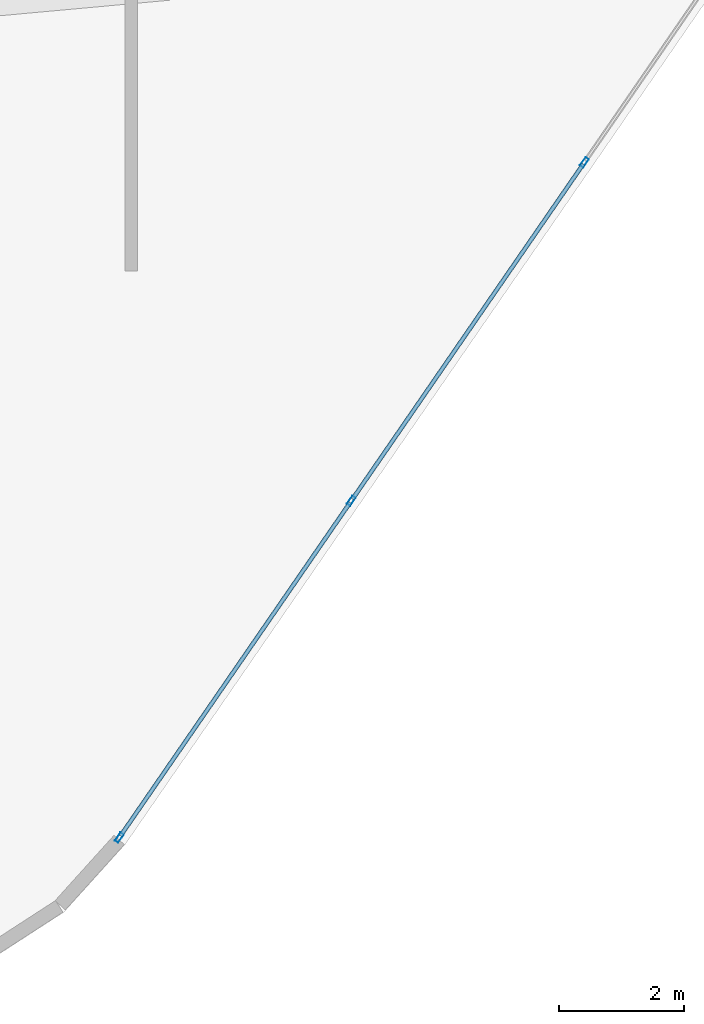
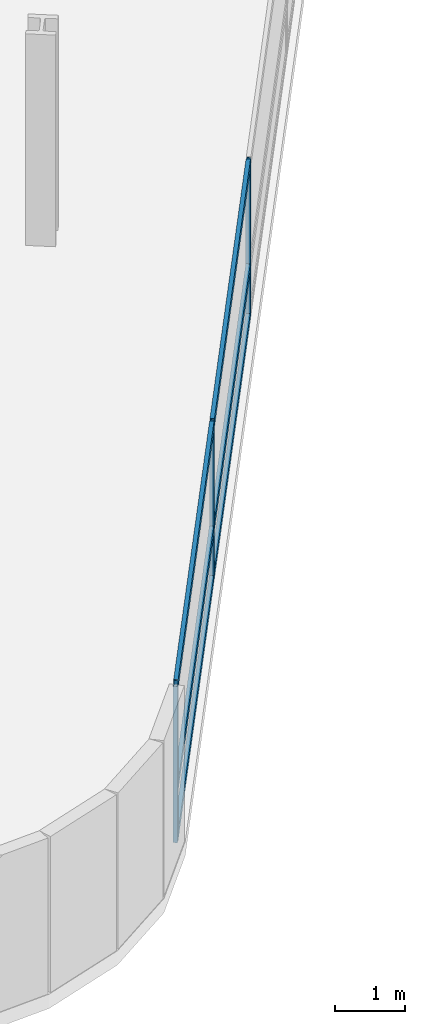
# One storey, part 6 of 25: 9 members, 1 element without a shape of its own.
"""IFC4 building model written with IfcOpenShell, lengths in metres."""

import ifcopenshell
import ifcopenshell.guid

model = None  # the IFC model being written
_history = None  # IfcOwnerHistory: only IFC2X3 demands one
_inside = {}  # id of a spatial element -> (the spatial element, [elements in it])
_under = {}  # id of a project, library or spatial element -> (it, [spatial elements below it])
_declared = {}  # id of a project -> (the project, [libraries it declares])
_typed = {}  # id of a type object -> (the type object, [elements of that type])
_made_of = {}  # id of a material, layer set ... -> (it, [elements and type objects made of it])


def new_model(schema):
    """Start an empty IFC model of exactly this schema.

    Asked for "IFC4X3", IfcOpenShell would pick the latest addendum, in which some entities
    have other attributes; the version numbers below select the first issue.
    IFC2X3 requires an IfcOwnerHistory on every rooted entity: one is made here for all.
    """
    global model, _history
    if schema == "IFC4X3":
        model = ifcopenshell.file(schema_version=(4, 3, 0, 0))
    else:
        model = ifcopenshell.file(schema=schema)
    _inside.clear()
    _under.clear()
    _declared.clear()
    _typed.clear()
    _made_of.clear()
    _history = None
    if model.schema == "IFC2X3":
        org = make("IfcOrganization", Name="unknown")
        user = make(
            "IfcPersonAndOrganization",
            ThePerson=make("IfcPerson", FamilyName="unknown"),
            TheOrganization=org,
        )
        app = make(
            "IfcApplication",
            ApplicationDeveloper=org,
            Version="unknown",
            ApplicationFullName="unknown",
            ApplicationIdentifier="unknown",
        )
        _history = make(
            "IfcOwnerHistory",
            OwningUser=user,
            OwningApplication=app,
            ChangeAction="ADDED",
            CreationDate=0,
        )
    return model


def make(cls, **values):
    """One entity of the class cls with the attributes given. An attribute that is None is left unset."""
    return model.create_entity(
        cls, **{name: value for name, value in values.items() if value is not None}
    )


def rooted(cls, **values):
    """An entity with a GlobalId (a new one), such as an element, a storey or a relation."""
    return make(cls, GlobalId=ifcopenshell.guid.new(), OwnerHistory=_history, **values)


def si_unit(unit_type, name, prefix=None):
    """IfcSIUnit, for example si_unit("LENGTHUNIT", "METRE", prefix="MILLI")."""
    return make("IfcSIUnit", UnitType=unit_type, Prefix=prefix, Name=name)


def assignment(units):
    """IfcUnitAssignment: the units of a project."""
    return None if units is None else make("IfcUnitAssignment", Units=units)


def point(xyz):
    """IfcCartesianPoint."""
    return None if xyz is None else make("IfcCartesianPoint", Coordinates=xyz)


def direction(xyz):
    """IfcDirection."""
    return None if xyz is None else make("IfcDirection", DirectionRatios=xyz)


def frame(location, z_axis=None, x_axis=None):
    """IfcAxis2Placement3D, a coordinate frame: its origin and axes. An axis left out is left unset."""
    return make(
        "IfcAxis2Placement3D",
        Location=point(location),
        Axis=direction(z_axis),
        RefDirection=direction(x_axis),
    )


def frame_2d(location, x_axis=None):
    """IfcAxis2Placement2D, a coordinate frame in the plane: its origin and x axis."""
    return make(
        "IfcAxis2Placement2D", Location=point(location), RefDirection=direction(x_axis)
    )


def origin():
    """The frame at (0, 0, 0) with its axes left unset."""
    return frame((0.0, 0.0, 0.0))


def origin_2d():
    """The frame at (0, 0) in the plane with its x axis left unset."""
    return frame_2d((0.0, 0.0))


def place(relative_to, where):
    """IfcLocalPlacement: puts the frame where relative to a parent placement (None: the world)."""
    return make(
        "IfcLocalPlacement", PlacementRelTo=relative_to, RelativePlacement=where
    )


def context(
    kind, dimensions, precision=None, world=None, true_north=None, identifier=None
):
    """IfcGeometricRepresentationContext, for example the 3D "Model" context."""
    return make(
        "IfcGeometricRepresentationContext",
        ContextIdentifier=identifier,
        ContextType=kind,
        CoordinateSpaceDimension=dimensions,
        Precision=precision,
        WorldCoordinateSystem=world,
        TrueNorth=true_north,
    )


def subcontext(parent, identifier, kind, view, scale=None):
    """IfcGeometricRepresentationSubContext, for example "Body" below "Model"."""
    return make(
        "IfcGeometricRepresentationSubContext",
        ContextIdentifier=identifier,
        ContextType=kind,
        ParentContext=parent,
        TargetScale=scale,
        TargetView=view,
    )


def project(units=None, contexts=None):
    """IfcProject with its units and contexts."""
    return rooted(
        "IfcProject",
        Name="project",
        RepresentationContexts=contexts,
        UnitsInContext=assignment(units),
    )


def spatial(cls, under=None, at=None, **own):
    """A site, building, storey or space (cls), placed at a placement, below another one or the project."""
    s = rooted(cls, ObjectPlacement=at, **own)
    if under is not None:
        _under.setdefault(under.id(), (under, []))[1].append(s)
    return s


def profile(cls, at=None, kind="AREA", **sizes):
    """A parametric profile (cls). Its sizes go by their IFC names, for example OverallWidth=200.0."""
    return make(cls, ProfileType=kind, Position=at, **sizes)


def hollow_rectangle(**sizes):
    """IfcRectangleHollowProfileDef."""
    return profile("IfcRectangleHollowProfileDef", **sizes)


def extrude(swept, where, along, depth):
    """IfcExtrudedAreaSolid: the profile swept, set in the frame where, extruded along a direction by depth."""
    return make(
        "IfcExtrudedAreaSolid",
        SweptArea=swept,
        Position=where,
        ExtrudedDirection=direction(along),
        Depth=depth,
    )


def shape(context_of_items, identifier, shape_type, items):
    """IfcShapeRepresentation: the items that make up one representation, for example the "Body"."""
    return make(
        "IfcShapeRepresentation",
        ContextOfItems=context_of_items,
        RepresentationIdentifier=identifier,
        RepresentationType=shape_type,
        Items=items,
    )


def material(Name=None, Category=None):
    """IfcMaterial."""
    return make("IfcMaterial", Name=Name, Category=Category)


def layer(
    of_material, thickness, ventilated=None, Name=None, Category=None, Priority=None
):
    """IfcMaterialLayer: one layer of a wall or slab, of a material (None: an air gap)."""
    return make(
        "IfcMaterialLayer",
        Material=of_material,
        LayerThickness=thickness,
        IsVentilated=ventilated,
        Name=Name,
        Category=Category,
        Priority=Priority,
    )


def layer_set(layers, Name=None):
    """IfcMaterialLayerSet."""
    return make("IfcMaterialLayerSet", MaterialLayers=layers, LayerSetName=Name)


def material_profile(
    of_material, cross_section, Name=None, Category=None, Priority=None
):
    """IfcMaterialProfile: a cross section and its material."""
    return make(
        "IfcMaterialProfile",
        Name=Name,
        Material=of_material,
        Profile=cross_section,
        Priority=Priority,
        Category=Category,
    )


def profile_set(profiles, Name=None, composite=None):
    """IfcMaterialProfileSet."""
    return make(
        "IfcMaterialProfileSet",
        Name=Name,
        MaterialProfiles=profiles,
        CompositeProfile=composite,
    )


def made_of(thing, what):
    """Note that an element or type object is made of a material, layer set ...; save() writes the relation."""
    if what is not None:
        _made_of.setdefault(what.id(), (what, []))[1].append(thing)
    return thing


def type_object(cls, material=None, **own):
    """A type object (cls), such as IfcWallType, which elements share."""
    return made_of(rooted(cls, **own), material)


def element(
    cls,
    number,
    at=None,
    inside=None,
    cuts=None,
    type_object=None,
    material=None,
    context=None,
    identifier="Body",
    shape_type=None,
    held_by="IfcProductDefinitionShape",
    body=None,
    shapes=None,
    **own,
):
    """One element of the class cls, such as IfcWall. Its Tag is "e" and its number.

    at: its placement. inside: the storey or other place that contains it. cuts: it is an
    opening in that element (IfcRelVoidsElement). A single representation is given by context,
    identifier, shape_type and body (its items); several are given by shapes. held_by: the class
    of the entity that holds the representations. save() writes the other relations.
    """
    e = rooted(cls, Tag="e%d" % number, ObjectPlacement=at, **own)
    if body is not None:
        shapes = [shape(context, identifier, shape_type, body)]
    if shapes is not None:
        e.Representation = make(held_by, Representations=shapes)
    if inside is not None:
        _inside.setdefault(inside.id(), (inside, []))[1].append(e)
    if cuts is not None:
        rooted(
            "IfcRelVoidsElement", RelatingBuildingElement=cuts, RelatedOpeningElement=e
        )
    if type_object is not None:
        _typed.setdefault(type_object.id(), (type_object, []))[1].append(e)
    return made_of(e, material)


def aggregate(whole, parts):
    """IfcRelAggregates: a whole, such as a stair, and the parts it consists of."""
    return rooted("IfcRelAggregates", RelatingObject=whole, RelatedObjects=parts)


def save(model, path):
    """Write the relations noted so far, then the file.

    IfcRelAggregates (storeys below a building ...), IfcRelContainedInSpatialStructure (elements
    in a storey), IfcRelDefinesByType, IfcRelAssociatesMaterial and IfcRelDeclares: one each for
    every whole, place, type object, material and project.
    """
    for whole, parts in _under.values():
        aggregate(whole, parts)
    for where, things in _inside.values():
        rooted(
            "IfcRelContainedInSpatialStructure",
            RelatedElements=things,
            RelatingStructure=where,
        )
    for kind, things in _typed.values():
        rooted("IfcRelDefinesByType", RelatedObjects=things, RelatingType=kind)
    for what, things in _made_of.values():
        rooted("IfcRelAssociatesMaterial", RelatedObjects=things, RelatingMaterial=what)
    for by, libraries in _declared.values():
        rooted("IfcRelDeclares", RelatingContext=by, RelatedDefinitions=libraries)
    model.write(path)


model = new_model("IFC4")

# Units and contexts
model_context = context("Model", 3, precision=1e-05, world=origin(), true_north=direction((0.0, 1.0)))
body_context = subcontext(model_context, "Body", "Model", "MODEL_VIEW")
ifc_project = project(units=[si_unit("LENGTHUNIT", "METRE"), si_unit("AREAUNIT", "SQUARE_METRE"), si_unit("VOLUMEUNIT", "CUBIC_METRE"), si_unit("PLANEANGLEUNIT", "RADIAN"), si_unit("MASSUNIT", "GRAM", prefix="KILO")], contexts=[model_context])

# Site, building, storey
site_placement = place(None, origin())
site = spatial("IfcSite", under=ifc_project, at=site_placement, CompositionType="ELEMENT")
building_placement = place(site_placement, origin())
building = spatial("IfcBuilding", under=site, at=building_placement, Name="Varnelok Gate Tower", CompositionType="ELEMENT")
storey_placement = place(building_placement, frame((0.0, 0.0, 64.0)))
storey = spatial("IfcBuildingStorey", under=building, at=storey_placement, Name="L15", CompositionType="ELEMENT", Elevation=64.0)

# Curtain wall, members
ifc_material = material(Name="Anodized Aluminum Alloy 6063-T6", Category="aluminium")
ifc_layer = layer(ifc_material, 0.179931640625)
ifc_layer_set = layer_set([ifc_layer], Name="Anodized Aluminum Alloy 6063-T6")
curtain_wall_type = type_object("IfcCurtainWallType", Name="CW3-HOTEL-VISION", PredefinedType="USERDEFINED", material=ifc_layer_set)
curtain_wall_placement = place(storey_placement, origin())
curtain_wall = element("IfcCurtainWall", 1, at=curtain_wall_placement, inside=storey, type_object=curtain_wall_type, Name="L15 East End Vision Curtain Wall", ObjectType="UNITISED CURTAIN WALL", PredefinedType="USERDEFINED")
ifc_material_profile_1 = material_profile(ifc_material, hollow_rectangle(XDim=0.06494140625, YDim=0.159912109375, WallThickness=0.00390625, at=origin_2d()), Name="ALU160X65X4")
ifc_profile_set_1 = profile_set([ifc_material_profile_1], Name="Anodized Aluminum Alloy 6063-T6")
member_type_1 = type_object("IfcMemberType", Name="CW-MULL-160", PredefinedType="MULLION", material=ifc_profile_set_1)
member_1_placement = place(storey_placement, frame((67.64208984375, -2.265380859375, 0.0), z_axis=(0.0, 0.0, 1.0), x_axis=(0.823532685111, -0.567268822124, 0.0)))
member_1 = element("IfcMember", 2, at=member_1_placement, type_object=member_type_1, Name="CW3 mullion 5", PredefinedType="MULLION", context=body_context, shape_type="SweptSolid", body=[
    extrude(hollow_rectangle(XDim=0.06494140625, YDim=0.159912109375, WallThickness=0.00390625, at=origin_2d()), origin(), (0.0, 0.0, 1.0), 2.72998046875),
])
member_2_placement = place(storey_placement, frame((63.9169921875, -7.67333984375, 0.0), z_axis=(0.0, 0.0, 1.0), x_axis=(0.823532685111, -0.567268822124, 0.0)))
member_2 = element("IfcMember", 3, at=member_2_placement, type_object=member_type_1, Name="CW3 mullion 6", PredefinedType="MULLION", context=body_context, shape_type="SweptSolid", body=[
    extrude(hollow_rectangle(XDim=0.06494140625, YDim=0.159912109375, WallThickness=0.00390625, at=origin_2d()), origin(), (0.0, 0.0, 1.0), 2.72998046875),
])
member_3_placement = place(storey_placement, frame((60.21044921875, -13.054443359375, 0.0), z_axis=(0.0, 0.0, 1.0), x_axis=(0.823532685111, -0.567268822124, 0.0)))
member_3 = element("IfcMember", 4, at=member_3_placement, type_object=member_type_1, Name="CW3 mullion 7", PredefinedType="MULLION", context=body_context, shape_type="SweptSolid", body=[
    extrude(hollow_rectangle(XDim=0.06494140625, YDim=0.159912109375, WallThickness=0.00390625, at=origin_2d()), origin(), (0.0, 0.0, 1.0), 2.72998046875),
])
ifc_material_profile_2 = material_profile(ifc_material, hollow_rectangle(XDim=0.06494140625, YDim=0.159912109375, WallThickness=0.00390625, at=origin_2d()), Name="ALU160X65X4")
ifc_profile_set_2 = profile_set([ifc_material_profile_2], Name="Anodized Aluminum Alloy 6063-T6")
member_type_2 = type_object("IfcMemberType", Name="CW-TRAN-160", PredefinedType="USERDEFINED", material=ifc_profile_set_2)
member_4_placement = place(storey_placement, frame((67.623779296875, -2.292236328125, 0.032470703125), z_axis=(-0.567279204469, -0.823525533409, 0.0), x_axis=(0.823525533409, -0.567279204469, 0.0)))
member_4 = element("IfcMember", 5, at=member_4_placement, type_object=member_type_2, Name="CW3 transom 5.1", ObjectType="TRANSOM", PredefinedType="USERDEFINED", context=body_context, shape_type="SweptSolid", body=[
    extrude(hollow_rectangle(XDim=0.06494140625, YDim=0.159912109375, WallThickness=0.00390625, at=origin_2d()), origin(), (0.0, 0.0, 1.0), 6.501708984375),
])
member_5_placement = place(storey_placement, frame((67.623779296875, -2.292236328125, 0.89990234375), z_axis=(-0.567279204469, -0.823525533409, 0.0), x_axis=(0.823525533409, -0.567279204469, 0.0)))
member_5 = element("IfcMember", 6, at=member_5_placement, type_object=member_type_2, Name="CW3 transom 5.2", ObjectType="TRANSOM", PredefinedType="USERDEFINED", context=body_context, shape_type="SweptSolid", body=[
    extrude(hollow_rectangle(XDim=0.06494140625, YDim=0.159912109375, WallThickness=0.00390625, at=origin_2d()), origin(), (0.0, 0.0, 1.0), 6.501708984375),
])
member_6_placement = place(storey_placement, frame((67.623779296875, -2.292236328125, 2.697509765625), z_axis=(-0.567279204469, -0.823525533409, 0.0), x_axis=(0.823525533409, -0.567279204469, 0.0)))
member_6 = element("IfcMember", 7, at=member_6_placement, type_object=member_type_2, Name="CW3 transom 5.3", ObjectType="TRANSOM", PredefinedType="USERDEFINED", context=body_context, shape_type="SweptSolid", body=[
    extrude(hollow_rectangle(XDim=0.06494140625, YDim=0.159912109375, WallThickness=0.00390625, at=origin_2d()), origin(), (0.0, 0.0, 1.0), 6.501708984375),
])
member_7_placement = place(storey_placement, frame((63.898681640625, -7.699951171875, 0.032470703125), z_axis=(-0.567281349446, -0.823524055854, 0.0), x_axis=(0.823524055854, -0.567281349446, 0.0)))
member_7 = element("IfcMember", 8, at=member_7_placement, type_object=member_type_2, Name="CW3 transom 6.1", ObjectType="TRANSOM", PredefinedType="USERDEFINED", context=body_context, shape_type="SweptSolid", body=[
    extrude(hollow_rectangle(XDim=0.06494140625, YDim=0.159912109375, WallThickness=0.00390625, at=origin_2d()), origin(), (0.0, 0.0, 1.0), 6.46923828125),
])
member_8_placement = place(storey_placement, frame((63.898681640625, -7.699951171875, 0.89990234375), z_axis=(-0.567281349446, -0.823524055854, 0.0), x_axis=(0.823524055854, -0.567281349446, 0.0)))
member_8 = element("IfcMember", 9, at=member_8_placement, type_object=member_type_2, Name="CW3 transom 6.2", ObjectType="TRANSOM", PredefinedType="USERDEFINED", context=body_context, shape_type="SweptSolid", body=[
    extrude(hollow_rectangle(XDim=0.06494140625, YDim=0.159912109375, WallThickness=0.00390625, at=origin_2d()), origin(), (0.0, 0.0, 1.0), 6.46923828125),
])
member_9_placement = place(storey_placement, frame((63.898681640625, -7.699951171875, 2.697509765625), z_axis=(-0.567281349446, -0.823524055854, 0.0), x_axis=(0.823524055854, -0.567281349446, 0.0)))
member_9 = element("IfcMember", 10, at=member_9_placement, type_object=member_type_2, Name="CW3 transom 6.3", ObjectType="TRANSOM", PredefinedType="USERDEFINED", context=body_context, shape_type="SweptSolid", body=[
    extrude(hollow_rectangle(XDim=0.06494140625, YDim=0.159912109375, WallThickness=0.00390625, at=origin_2d()), origin(), (0.0, 0.0, 1.0), 6.46923828125),
])
aggregate(curtain_wall, [member_1, member_2, member_3, member_4, member_5, member_6, member_7, member_8, member_9])

save(model, "model.ifc")
